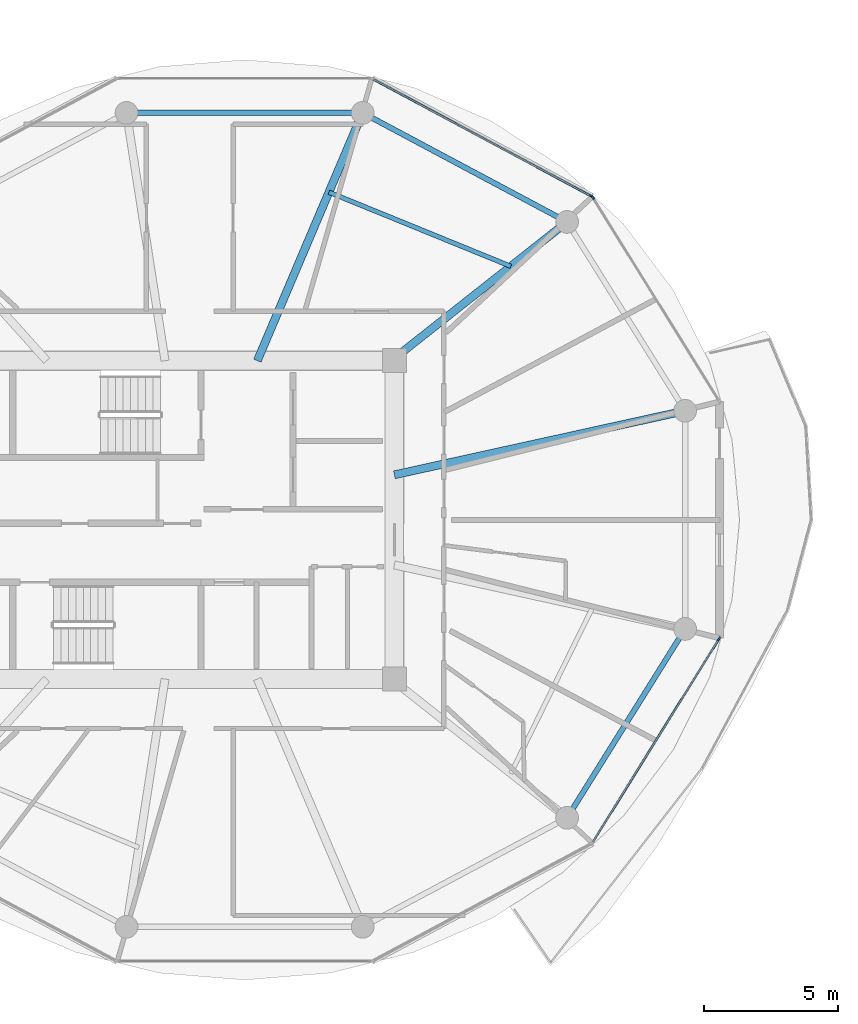
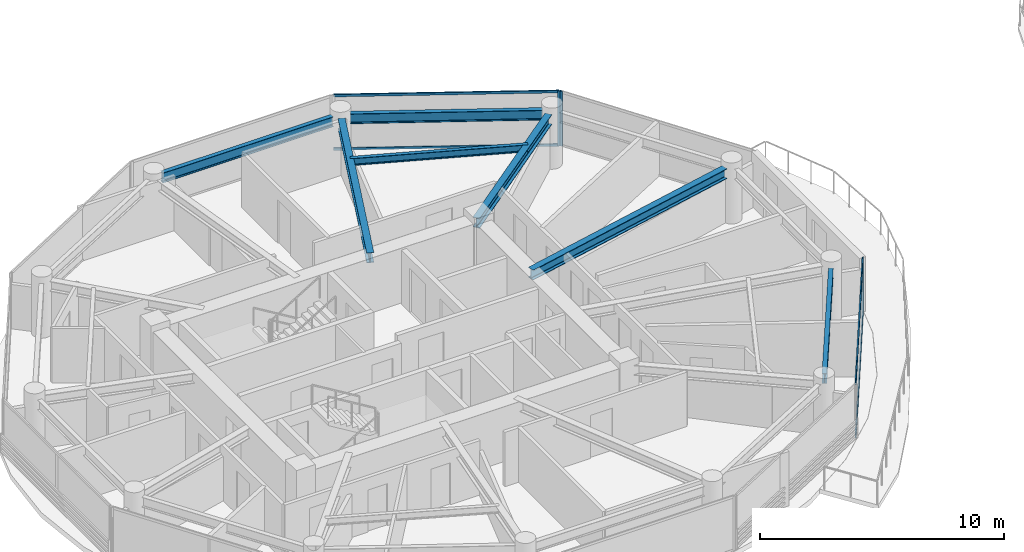
# One storey, part 5 of 22: 7 beams, 7 members, 3 elements without a shape of their own.
"""IFC4 building model written with IfcOpenShell, lengths in metres."""

import ifcopenshell
import ifcopenshell.guid

model = None  # the IFC model being written
_history = None  # IfcOwnerHistory: only IFC2X3 demands one
_inside = {}  # id of a spatial element -> (the spatial element, [elements in it])
_under = {}  # id of a project, library or spatial element -> (it, [spatial elements below it])
_declared = {}  # id of a project -> (the project, [libraries it declares])
_typed = {}  # id of a type object -> (the type object, [elements of that type])
_made_of = {}  # id of a material, layer set ... -> (it, [elements and type objects made of it])


def new_model(schema):
    """Start an empty IFC model of exactly this schema.

    Asked for "IFC4X3", IfcOpenShell would pick the latest addendum, in which some entities
    have other attributes; the version numbers below select the first issue.
    IFC2X3 requires an IfcOwnerHistory on every rooted entity: one is made here for all.
    """
    global model, _history
    if schema == "IFC4X3":
        model = ifcopenshell.file(schema_version=(4, 3, 0, 0))
    else:
        model = ifcopenshell.file(schema=schema)
    _inside.clear()
    _under.clear()
    _declared.clear()
    _typed.clear()
    _made_of.clear()
    _history = None
    if model.schema == "IFC2X3":
        org = make("IfcOrganization", Name="unknown")
        user = make(
            "IfcPersonAndOrganization",
            ThePerson=make("IfcPerson", FamilyName="unknown"),
            TheOrganization=org,
        )
        app = make(
            "IfcApplication",
            ApplicationDeveloper=org,
            Version="unknown",
            ApplicationFullName="unknown",
            ApplicationIdentifier="unknown",
        )
        _history = make(
            "IfcOwnerHistory",
            OwningUser=user,
            OwningApplication=app,
            ChangeAction="ADDED",
            CreationDate=0,
        )
    return model


def make(cls, **values):
    """One entity of the class cls with the attributes given. An attribute that is None is left unset."""
    return model.create_entity(
        cls, **{name: value for name, value in values.items() if value is not None}
    )


def rooted(cls, **values):
    """An entity with a GlobalId (a new one), such as an element, a storey or a relation."""
    return make(cls, GlobalId=ifcopenshell.guid.new(), OwnerHistory=_history, **values)


def si_unit(unit_type, name, prefix=None):
    """IfcSIUnit, for example si_unit("LENGTHUNIT", "METRE", prefix="MILLI")."""
    return make("IfcSIUnit", UnitType=unit_type, Prefix=prefix, Name=name)


def assignment(units):
    """IfcUnitAssignment: the units of a project."""
    return None if units is None else make("IfcUnitAssignment", Units=units)


def point(xyz):
    """IfcCartesianPoint."""
    return None if xyz is None else make("IfcCartesianPoint", Coordinates=xyz)


def direction(xyz):
    """IfcDirection."""
    return None if xyz is None else make("IfcDirection", DirectionRatios=xyz)


def frame(location, z_axis=None, x_axis=None):
    """IfcAxis2Placement3D, a coordinate frame: its origin and axes. An axis left out is left unset."""
    return make(
        "IfcAxis2Placement3D",
        Location=point(location),
        Axis=direction(z_axis),
        RefDirection=direction(x_axis),
    )


def frame_2d(location, x_axis=None):
    """IfcAxis2Placement2D, a coordinate frame in the plane: its origin and x axis."""
    return make(
        "IfcAxis2Placement2D", Location=point(location), RefDirection=direction(x_axis)
    )


def origin():
    """The frame at (0, 0, 0) with its axes left unset."""
    return frame((0.0, 0.0, 0.0))


def origin_2d():
    """The frame at (0, 0) in the plane with its x axis left unset."""
    return frame_2d((0.0, 0.0))


def place(relative_to, where):
    """IfcLocalPlacement: puts the frame where relative to a parent placement (None: the world)."""
    return make(
        "IfcLocalPlacement", PlacementRelTo=relative_to, RelativePlacement=where
    )


def context(
    kind, dimensions, precision=None, world=None, true_north=None, identifier=None
):
    """IfcGeometricRepresentationContext, for example the 3D "Model" context."""
    return make(
        "IfcGeometricRepresentationContext",
        ContextIdentifier=identifier,
        ContextType=kind,
        CoordinateSpaceDimension=dimensions,
        Precision=precision,
        WorldCoordinateSystem=world,
        TrueNorth=true_north,
    )


def subcontext(parent, identifier, kind, view, scale=None):
    """IfcGeometricRepresentationSubContext, for example "Body" below "Model"."""
    return make(
        "IfcGeometricRepresentationSubContext",
        ContextIdentifier=identifier,
        ContextType=kind,
        ParentContext=parent,
        TargetScale=scale,
        TargetView=view,
    )


def project(units=None, contexts=None):
    """IfcProject with its units and contexts."""
    return rooted(
        "IfcProject",
        Name="project",
        RepresentationContexts=contexts,
        UnitsInContext=assignment(units),
    )


def spatial(cls, under=None, at=None, **own):
    """A site, building, storey or space (cls), placed at a placement, below another one or the project."""
    s = rooted(cls, ObjectPlacement=at, **own)
    if under is not None:
        _under.setdefault(under.id(), (under, []))[1].append(s)
    return s


def profile(cls, at=None, kind="AREA", **sizes):
    """A parametric profile (cls). Its sizes go by their IFC names, for example OverallWidth=200.0."""
    return make(cls, ProfileType=kind, Position=at, **sizes)


def rectangle(**sizes):
    """IfcRectangleProfileDef."""
    return profile("IfcRectangleProfileDef", **sizes)


def i_section(**sizes):
    """IfcIShapeProfileDef."""
    return profile("IfcIShapeProfileDef", **sizes)


def extrude(swept, where, along, depth):
    """IfcExtrudedAreaSolid: the profile swept, set in the frame where, extruded along a direction by depth."""
    return make(
        "IfcExtrudedAreaSolid",
        SweptArea=swept,
        Position=where,
        ExtrudedDirection=direction(along),
        Depth=depth,
    )


def shape(context_of_items, identifier, shape_type, items):
    """IfcShapeRepresentation: the items that make up one representation, for example the "Body"."""
    return make(
        "IfcShapeRepresentation",
        ContextOfItems=context_of_items,
        RepresentationIdentifier=identifier,
        RepresentationType=shape_type,
        Items=items,
    )


def source(mapping_origin, context_of_items, identifier, shape_type, items):
    """IfcRepresentationMap: a shape defined once, which mapped items show again and again."""
    return make(
        "IfcRepresentationMap",
        MappingOrigin=mapping_origin,
        MappedRepresentation=shape(context_of_items, identifier, shape_type, items),
    )


def transform(
    local_origin,
    x_axis=None,
    y_axis=None,
    z_axis=None,
    scale=None,
    scale2=None,
    scale3=None,
    uniform=True,
):
    """IfcCartesianTransformationOperator3D, or its non-uniform kind. x_axis, y_axis, z_axis: its Axis1, 2, 3."""
    if uniform:
        return make(
            "IfcCartesianTransformationOperator3D",
            Axis1=direction(x_axis),
            Axis2=direction(y_axis),
            LocalOrigin=point(local_origin),
            Scale=scale,
            Axis3=direction(z_axis),
        )
    return make(
        "IfcCartesianTransformationOperator3DnonUniform",
        Axis1=direction(x_axis),
        Axis2=direction(y_axis),
        LocalOrigin=point(local_origin),
        Scale=scale,
        Axis3=direction(z_axis),
        Scale2=scale2,
        Scale3=scale3,
    )


def mapped(mapping_source, mapping_target):
    """IfcMappedItem: shows the shape of a source again, moved by a transform."""
    return make(
        "IfcMappedItem", MappingSource=mapping_source, MappingTarget=mapping_target
    )


def material(Name=None, Category=None):
    """IfcMaterial."""
    return make("IfcMaterial", Name=Name, Category=Category)


def layer(
    of_material, thickness, ventilated=None, Name=None, Category=None, Priority=None
):
    """IfcMaterialLayer: one layer of a wall or slab, of a material (None: an air gap)."""
    return make(
        "IfcMaterialLayer",
        Material=of_material,
        LayerThickness=thickness,
        IsVentilated=ventilated,
        Name=Name,
        Category=Category,
        Priority=Priority,
    )


def layer_set(layers, Name=None):
    """IfcMaterialLayerSet."""
    return make("IfcMaterialLayerSet", MaterialLayers=layers, LayerSetName=Name)


def material_profile(
    of_material, cross_section, Name=None, Category=None, Priority=None
):
    """IfcMaterialProfile: a cross section and its material."""
    return make(
        "IfcMaterialProfile",
        Name=Name,
        Material=of_material,
        Profile=cross_section,
        Priority=Priority,
        Category=Category,
    )


def profile_set(profiles, Name=None, composite=None):
    """IfcMaterialProfileSet."""
    return make(
        "IfcMaterialProfileSet",
        Name=Name,
        MaterialProfiles=profiles,
        CompositeProfile=composite,
    )


def made_of(thing, what):
    """Note that an element or type object is made of a material, layer set ...; save() writes the relation."""
    if what is not None:
        _made_of.setdefault(what.id(), (what, []))[1].append(thing)
    return thing


def type_object(cls, material=None, **own):
    """A type object (cls), such as IfcWallType, which elements share."""
    return made_of(rooted(cls, **own), material)


def type_shapes(of_type, sources):
    """Give a type object the sources (RepresentationMaps) that its elements show as mapped items."""
    of_type.RepresentationMaps = sources


def element(
    cls,
    number,
    at=None,
    inside=None,
    cuts=None,
    type_object=None,
    material=None,
    context=None,
    identifier="Body",
    shape_type=None,
    held_by="IfcProductDefinitionShape",
    body=None,
    shapes=None,
    **own,
):
    """One element of the class cls, such as IfcWall. Its Tag is "e" and its number.

    at: its placement. inside: the storey or other place that contains it. cuts: it is an
    opening in that element (IfcRelVoidsElement). A single representation is given by context,
    identifier, shape_type and body (its items); several are given by shapes. held_by: the class
    of the entity that holds the representations. save() writes the other relations.
    """
    e = rooted(cls, Tag="e%d" % number, ObjectPlacement=at, **own)
    if body is not None:
        shapes = [shape(context, identifier, shape_type, body)]
    if shapes is not None:
        e.Representation = make(held_by, Representations=shapes)
    if inside is not None:
        _inside.setdefault(inside.id(), (inside, []))[1].append(e)
    if cuts is not None:
        rooted(
            "IfcRelVoidsElement", RelatingBuildingElement=cuts, RelatedOpeningElement=e
        )
    if type_object is not None:
        _typed.setdefault(type_object.id(), (type_object, []))[1].append(e)
    return made_of(e, material)


def aggregate(whole, parts):
    """IfcRelAggregates: a whole, such as a stair, and the parts it consists of."""
    return rooted("IfcRelAggregates", RelatingObject=whole, RelatedObjects=parts)


def save(model, path):
    """Write the relations noted so far, then the file.

    IfcRelAggregates (storeys below a building ...), IfcRelContainedInSpatialStructure (elements
    in a storey), IfcRelDefinesByType, IfcRelAssociatesMaterial and IfcRelDeclares: one each for
    every whole, place, type object, material and project.
    """
    for whole, parts in _under.values():
        aggregate(whole, parts)
    for where, things in _inside.values():
        rooted(
            "IfcRelContainedInSpatialStructure",
            RelatedElements=things,
            RelatingStructure=where,
        )
    for kind, things in _typed.values():
        rooted("IfcRelDefinesByType", RelatedObjects=things, RelatingType=kind)
    for what, things in _made_of.values():
        rooted("IfcRelAssociatesMaterial", RelatedObjects=things, RelatingMaterial=what)
    for by, libraries in _declared.values():
        rooted("IfcRelDeclares", RelatingContext=by, RelatedDefinitions=libraries)
    model.write(path)


model = new_model("IFC4")

# Units and contexts
model_context = context("Model", 3, precision=1e-05, world=origin(), true_north=direction((0.0, 1.0)))
body_context = subcontext(model_context, "Body", "Model", "MODEL_VIEW")
ifc_project = project(units=[si_unit("LENGTHUNIT", "METRE"), si_unit("AREAUNIT", "SQUARE_METRE"), si_unit("VOLUMEUNIT", "CUBIC_METRE"), si_unit("PLANEANGLEUNIT", "RADIAN"), si_unit("MASSUNIT", "GRAM", prefix="KILO")], contexts=[model_context])

# Site, building, storey
site_placement = place(None, origin())
site = spatial("IfcSite", under=ifc_project, at=site_placement, CompositionType="ELEMENT")
building_placement = place(site_placement, origin())
building = spatial("IfcBuilding", under=site, at=building_placement, Name="Norrkilde Senior Care Towers", CompositionType="ELEMENT")
storey_placement = place(building_placement, frame((0.0, 0.0, 126.75)))
storey = spatial("IfcBuildingStorey", under=building, at=storey_placement, Name="L39", CompositionType="ELEMENT", Elevation=126.75)

# Beams
ifc_material_1 = material(Name="Steel S355", Category="steel")
ifc_material_profile_1 = material_profile(ifc_material_1, i_section(OverallWidth=0.199951171875, OverallDepth=0.5, WebThickness=0.01025390625, FlangeThickness=0.01611328125, FilletRadius=0.02099609375, at=origin_2d()), Name="IPE 500")
ifc_profile_set_1 = profile_set([ifc_material_profile_1], Name="Steel S355")
beam_type_1 = type_object("IfcBeamType", Name="Perimeter Ring Spandrel Z2 IPE500", PredefinedType="SPANDREL", material=ifc_profile_set_1)
shared_shape_1 = source(origin(), body_context, "Body", "SweptSolid", [
    extrude(i_section(OverallWidth=0.199951171875, OverallDepth=0.5, WebThickness=0.01025390625, FlangeThickness=0.01611328125, FilletRadius=0.02099609375, at=origin_2d()), origin(), (0.0, 0.0, 1.0), 7.55615234375),
])
beam_1_placement = place(storey_placement, frame((-13.689697265625, -10.810546875, 2.47998046875), z_axis=(0.529981514254, 0.848009194849, 0.0), x_axis=(-0.848009194849, 0.529981514254, 0.0)))
element("IfcBeam", 1, at=beam_1_placement, inside=storey, type_object=beam_type_1, Name="L39 Drum W Perimeter Spandrel 11", PredefinedType="SPANDREL", context=body_context, shape_type="MappedRepresentation", body=[
    mapped(shared_shape_1, transform((0.0, 0.0, 0.0), x_axis=(1.0, 0.0, 0.0), y_axis=(0.0, 1.0, 0.0), z_axis=(0.0, 0.0, 1.0), scale=1.0)),
])
ifc_material_profile_2 = material_profile(ifc_material_1, i_section(OverallWidth=0.300048828125, OverallDepth=0.5, WebThickness=0.014404296875, FlangeThickness=0.028076171875, FilletRadius=0.027099609375, at=origin_2d()), Name="HEB 500")
ifc_profile_set_2 = profile_set([ifc_material_profile_2], Name="Steel S355")
beam_type_2 = type_object("IfcBeamType", Name="Radial Floor Beam Z2 HEB500", PredefinedType="BEAM", material=ifc_profile_set_2)
shared_shape_2 = source(origin(), body_context, "Body", "SweptSolid", [
    extrude(i_section(OverallWidth=0.300048828125, OverallDepth=0.5, WebThickness=0.014404296875, FlangeThickness=0.028076171875, FilletRadius=0.027099609375, at=origin_2d()), origin(), (0.0, 0.0, 1.0), 10.744384765625),
])
beam_2_placement = place(storey_placement, frame((-20.35009765625, 1.683837890625, 2.47998046875), z_axis=(0.976618711422, 0.214978818724, 0.0), x_axis=(-0.214978818724, 0.976618711422, 0.0)))
element("IfcBeam", 2, at=beam_2_placement, inside=storey, type_object=beam_type_2, Name="L39 Drum W Radial Floor Beam 01", PredefinedType="BEAM", context=body_context, shape_type="MappedRepresentation", body=[
    mapped(shared_shape_2, transform((0.0, 0.0, 0.0), x_axis=(1.0, 0.0, 0.0), y_axis=(0.0, 1.0, 0.0), z_axis=(0.0, 0.0, 1.0), scale=1.0)),
])
shared_shape_3 = source(origin(), body_context, "Body", "SweptSolid", [
    extrude(i_section(OverallWidth=0.199951171875, OverallDepth=0.5, WebThickness=0.01025390625, FlangeThickness=0.01611328125, FilletRadius=0.02099609375, at=origin_2d()), origin(), (0.0, 0.0, 1.0), 7.892333984375),
])
beam_3_placement = place(storey_placement, frame((-14.233642578125, 11.318115234375, 2.47998046875), z_axis=(-0.882350372282, 0.47059305194, 0.0), x_axis=(-0.47059305194, -0.882350372282, 0.0)))
element("IfcBeam", 3, at=beam_3_placement, inside=storey, type_object=beam_type_1, Name="L39 Drum W Perimeter Spandrel 02", PredefinedType="SPANDREL", context=body_context, shape_type="MappedRepresentation", body=[
    mapped(shared_shape_3, transform((0.0, 0.0, 0.0), x_axis=(1.0, 0.0, 0.0), y_axis=(0.0, 1.0, 0.0), z_axis=(0.0, 0.0, 1.0), scale=1.0)),
])
shared_shape_4 = source(origin(), body_context, "Body", "SweptSolid", [
    extrude(i_section(OverallWidth=0.300048828125, OverallDepth=0.5, WebThickness=0.014404296875, FlangeThickness=0.028076171875, FilletRadius=0.027099609375, at=origin_2d()), origin(), (0.0, 0.0, 1.0), 7.985595703125),
])
beam_4_placement = place(storey_placement, frame((-20.463623046875, 5.949951171875, 2.47998046875), z_axis=(0.784858505144, 0.619675017169, 0.0), x_axis=(-0.619675017169, 0.784858505144, 0.0)))
element("IfcBeam", 4, at=beam_4_placement, inside=storey, type_object=beam_type_2, Name="L39 Drum W Radial Floor Beam 02", PredefinedType="BEAM", context=body_context, shape_type="MappedRepresentation", body=[
    mapped(shared_shape_4, transform((0.0, 0.0, 0.0), x_axis=(1.0, 0.0, 0.0), y_axis=(0.0, 1.0, 0.0), z_axis=(0.0, 0.0, 1.0), scale=1.0)),
])
shared_shape_5 = source(origin(), body_context, "Body", "SweptSolid", [
    extrude(i_section(OverallWidth=0.199951171875, OverallDepth=0.5, WebThickness=0.01025390625, FlangeThickness=0.01611328125, FilletRadius=0.02099609375, at=origin_2d()), origin(), (0.0, 0.0, 1.0), 8.0556640625),
])
type_shapes(beam_type_1, [shared_shape_1, shared_shape_3, shared_shape_5])
beam_5_placement = place(storey_placement, frame((-21.922119140625, 15.21337890625, 2.47998046875), z_axis=(-1.0, 0.0, 0.0), x_axis=(0.0, -1.0, 0.0)))
element("IfcBeam", 5, at=beam_5_placement, inside=storey, type_object=beam_type_1, Name="L39 Drum W Perimeter Spandrel 03", PredefinedType="SPANDREL", context=body_context, shape_type="MappedRepresentation", body=[
    mapped(shared_shape_5, transform((0.0, 0.0, 0.0), x_axis=(1.0, 0.0, 0.0), y_axis=(0.0, 1.0, 0.0), z_axis=(0.0, 0.0, 1.0), scale=1.0)),
])
shared_shape_6 = source(origin(), body_context, "Body", "SweptSolid", [
    extrude(i_section(OverallWidth=0.300048828125, OverallDepth=0.5, WebThickness=0.014404296875, FlangeThickness=0.028076171875, FilletRadius=0.027099609375, at=origin_2d()), origin(), (0.0, 0.0, 1.0), 9.679443359375),
])
type_shapes(beam_type_2, [shared_shape_2, shared_shape_4, shared_shape_6])
beam_6_placement = place(storey_placement, frame((-25.472412109375, 5.949951171875, 2.47998046875), z_axis=(0.390998033479, 0.920391513333, 0.0), x_axis=(-0.920391513333, 0.390998033479, 0.0)))
element("IfcBeam", 6, at=beam_6_placement, inside=storey, type_object=beam_type_2, Name="L39 Drum W Radial Floor Beam 03", PredefinedType="BEAM", context=body_context, shape_type="MappedRepresentation", body=[
    mapped(shared_shape_6, transform((0.0, 0.0, 0.0), x_axis=(1.0, 0.0, 0.0), y_axis=(0.0, 1.0, 0.0), z_axis=(0.0, 0.0, 1.0), scale=1.0)),
])
ifc_material_profile_3 = material_profile(ifc_material_1, i_section(OverallWidth=0.169921875, OverallDepth=0.360107421875, WebThickness=0.008056640625, FlangeThickness=0.0126953125, FilletRadius=0.01806640625, at=origin_2d()), Name="IPE 360")
ifc_profile_set_3 = profile_set([ifc_material_profile_3], Name="Steel S355")
beam_type_3 = type_object("IfcBeamType", Name="Secondary Floor Joist IPE360", PredefinedType="JOIST", material=ifc_profile_set_3)
shared_shape_7 = source(origin(), body_context, "Body", "SweptSolid", [
    extrude(i_section(OverallWidth=0.169921875, OverallDepth=0.360107421875, WebThickness=0.008056640625, FlangeThickness=0.0126953125, FilletRadius=0.01806640625, at=origin_2d()), origin(), (0.0, 0.0, 1.0), 7.343505859375),
])
type_shapes(beam_type_3, [shared_shape_7])
beam_7_placement = place(storey_placement, frame((-15.99609375, 9.47705078125, 2.550048828125), z_axis=(-0.926021784767, 0.377470070519, 0.0), x_axis=(-0.377470070519, -0.926021784767, 0.0)))
element("IfcBeam", 7, at=beam_7_placement, inside=storey, type_object=beam_type_3, Name="L39 Drum W Secondary Floor Joist 1", PredefinedType="JOIST", context=body_context, shape_type="MappedRepresentation", body=[
    mapped(shared_shape_7, transform((0.0, 0.0, 0.0), x_axis=(1.0, 0.0, 0.0), y_axis=(0.0, 1.0, 0.0), z_axis=(0.0, 0.0, 1.0), scale=1.0)),
])

# Curtain wall, member
ifc_material_2 = material(Name="Triple Low-E Insulated Glazing", Category="glass")
ifc_layer = layer(ifc_material_2, 0.195068359375)
ifc_layer_set = layer_set([ifc_layer], Name="Triple Low-E Insulated Glazing")
curtain_wall_type = type_object("IfcCurtainWallType", Name="CW3 Zone 2 Assisted Living Curtain Wall", PredefinedType="NOTDEFINED", material=ifc_layer_set)
curtain_wall_1_placement = place(storey_placement, origin())
curtain_wall_1 = element("IfcCurtainWall", 8, at=curtain_wall_1_placement, inside=storey, type_object=curtain_wall_type, Name="L39 Drum W Curtain Wall 00", PredefinedType="NOTDEFINED")
ifc_material_3 = material(Name="Anodised Aluminium", Category="aluminium")
ifc_material_profile_4 = material_profile(ifc_material_3, rectangle(XDim=0.06494140625, YDim=0.159912109375, at=origin_2d()), Name="ALU MULL 65x160")
ifc_profile_set_4 = profile_set([ifc_material_profile_4], Name="Anodised Aluminium")
member_type_1 = type_object("IfcMemberType", Name="Curtain Wall Mullion Z1-Z2 65x160", PredefinedType="MULLION", material=ifc_profile_set_4)
shared_shape_8 = source(origin(), body_context, "Body", "SweptSolid", [
    extrude(rectangle(XDim=0.06494140625, YDim=0.159912109375, at=origin_2d()), origin(), (0.0, 0.0, 1.0), 2.72998046875),
])
type_shapes(member_type_1, [shared_shape_8])
member_1_placement = place(storey_placement, frame((-12.936279296875, 12.0498046875, 0.0), z_axis=(0.0, 0.0, 1.0), x_axis=(0.849410171862, 0.527733228002, 0.0)))
member_1 = element("IfcMember", 9, at=member_1_placement, type_object=member_type_1, Name="CW-3 mullion 1", PredefinedType="MULLION", context=body_context, shape_type="MappedRepresentation", body=[
    mapped(shared_shape_8, transform((0.0, 0.0, 0.0), x_axis=(1.0, 0.0, 0.0), y_axis=(0.0, 1.0, 0.0), z_axis=(0.0, 0.0, 1.0), scale=1.0)),
])
aggregate(curtain_wall_1, [member_1])

curtain_wall_2_placement = place(storey_placement, origin())
curtain_wall_2 = element("IfcCurtainWall", 10, at=curtain_wall_2_placement, inside=storey, type_object=curtain_wall_type, Name="L39 Drum W Curtain Wall 01", PredefinedType="NOTDEFINED")
member_2_placement = place(storey_placement, frame((-12.98193359375, 12.0927734375, 0.0), z_axis=(0.0, 0.0, 1.0), x_axis=(0.472769402511, 0.881186184668, 0.0)))
member_2 = element("IfcMember", 11, at=member_2_placement, type_object=member_type_1, Name="CW-3 mullion 2", PredefinedType="MULLION", context=body_context, shape_type="MappedRepresentation", body=[
    mapped(shared_shape_8, transform((0.0, 0.0, 0.0), x_axis=(1.0, 0.0, 0.0), y_axis=(0.0, 1.0, 0.0), z_axis=(0.0, 0.0, 1.0), scale=1.0)),
])

# Curtain wall, members
curtain_wall_3_placement = place(storey_placement, origin())
curtain_wall_3 = element("IfcCurtainWall", 12, at=curtain_wall_3_placement, inside=storey, type_object=curtain_wall_type, Name="L39 Drum W Curtain Wall 10", PredefinedType="NOTDEFINED")
member_3_placement = place(storey_placement, frame((-8.21337890625, -4.4482421875, 0.0), z_axis=(0.0, 0.0, 1.0), x_axis=(0.849410171862, -0.527733228002, 0.0)))
member_3 = element("IfcMember", 13, at=member_3_placement, type_object=member_type_1, Name="CW-3 mullion 1", PredefinedType="MULLION", context=body_context, shape_type="MappedRepresentation", body=[
    mapped(shared_shape_8, transform((0.0, 0.0, 0.0), x_axis=(1.0, 0.0, 0.0), y_axis=(0.0, 1.0, 0.0), z_axis=(0.0, 0.0, 1.0), scale=1.0)),
])
ifc_material_profile_5 = material_profile(ifc_material_3, rectangle(XDim=0.06005859375, YDim=0.1201171875, at=origin_2d()), Name="ALU TRAN 60x120")
ifc_profile_set_5 = profile_set([ifc_material_profile_5], Name="Anodised Aluminium")
member_type_2 = type_object("IfcMemberType", Name="Curtain Wall Transom Typical 60x120", PredefinedType="USERDEFINED", material=ifc_profile_set_5)
shared_shape_9 = source(origin(), body_context, "Body", "SweptSolid", [
    extrude(rectangle(XDim=0.06005859375, YDim=0.1201171875, at=origin_2d()), origin(), (0.0, 0.0, 1.0), 8.88427734375),
])
member_4_placement = place(storey_placement, frame((-8.23046875, -4.475830078125, 0.030029296875), z_axis=(-0.527749293309, -0.849400190377, 0.0), x_axis=(0.849400190377, -0.527749293309, 0.0)))
member_4 = element("IfcMember", 14, at=member_4_placement, type_object=member_type_2, Name="CW-3 transom 1.1", ObjectType="TRANSOM", PredefinedType="USERDEFINED", context=body_context, shape_type="MappedRepresentation", body=[
    mapped(shared_shape_9, transform((0.0, 0.0, 0.0), x_axis=(1.0, 0.0, 0.0), y_axis=(0.0, 1.0, 0.0), z_axis=(0.0, 0.0, 1.0), scale=1.0)),
])
member_5_placement = place(storey_placement, frame((-8.23046875, -4.475830078125, 2.699951171875), z_axis=(-0.527749293309, -0.849400190377, 0.0), x_axis=(0.849400190377, -0.527749293309, 0.0)))
member_5 = element("IfcMember", 15, at=member_5_placement, type_object=member_type_2, Name="CW-3 transom 1.2", ObjectType="TRANSOM", PredefinedType="USERDEFINED", context=body_context, shape_type="MappedRepresentation", body=[
    mapped(shared_shape_9, transform((0.0, 0.0, 0.0), x_axis=(1.0, 0.0, 0.0), y_axis=(0.0, 1.0, 0.0), z_axis=(0.0, 0.0, 1.0), scale=1.0)),
])
aggregate(curtain_wall_3, [member_3, member_4, member_5])

# Member
shared_shape_10 = source(origin(), body_context, "Body", "SweptSolid", [
    extrude(rectangle(XDim=0.06005859375, YDim=0.1201171875, at=origin_2d()), origin(), (0.0, 0.0, 1.0), 9.220458984375),
])
type_shapes(member_type_2, [shared_shape_9, shared_shape_10])
member_6_placement = place(storey_placement, frame((-21.1357421875, 16.46728515625, 0.030029296875), z_axis=(0.881188517866, -0.472765053681, 0.0), x_axis=(0.472765053681, 0.881188517866, 0.0)))
member_6 = element("IfcMember", 16, at=member_6_placement, type_object=member_type_2, Name="CW-3 transom 1.1", ObjectType="TRANSOM", PredefinedType="USERDEFINED", context=body_context, shape_type="MappedRepresentation", body=[
    mapped(shared_shape_10, transform((0.0, 0.0, 0.0), x_axis=(1.0, 0.0, 0.0), y_axis=(0.0, 1.0, 0.0), z_axis=(0.0, 0.0, 1.0), scale=1.0)),
])

member_7_placement = place(storey_placement, frame((-21.1357421875, 16.46728515625, 2.699951171875), z_axis=(0.881188517866, -0.472765053681, 0.0), x_axis=(0.472765053681, 0.881188517866, 0.0)))
member_7 = element("IfcMember", 17, at=member_7_placement, type_object=member_type_2, Name="CW-3 transom 1.2", ObjectType="TRANSOM", PredefinedType="USERDEFINED", context=body_context, shape_type="MappedRepresentation", body=[
    mapped(shared_shape_10, transform((0.0, 0.0, 0.0), x_axis=(1.0, 0.0, 0.0), y_axis=(0.0, 1.0, 0.0), z_axis=(0.0, 0.0, 1.0), scale=1.0)),
])

aggregate(curtain_wall_2, [member_2, member_6, member_7])

save(model, "model.ifc")
